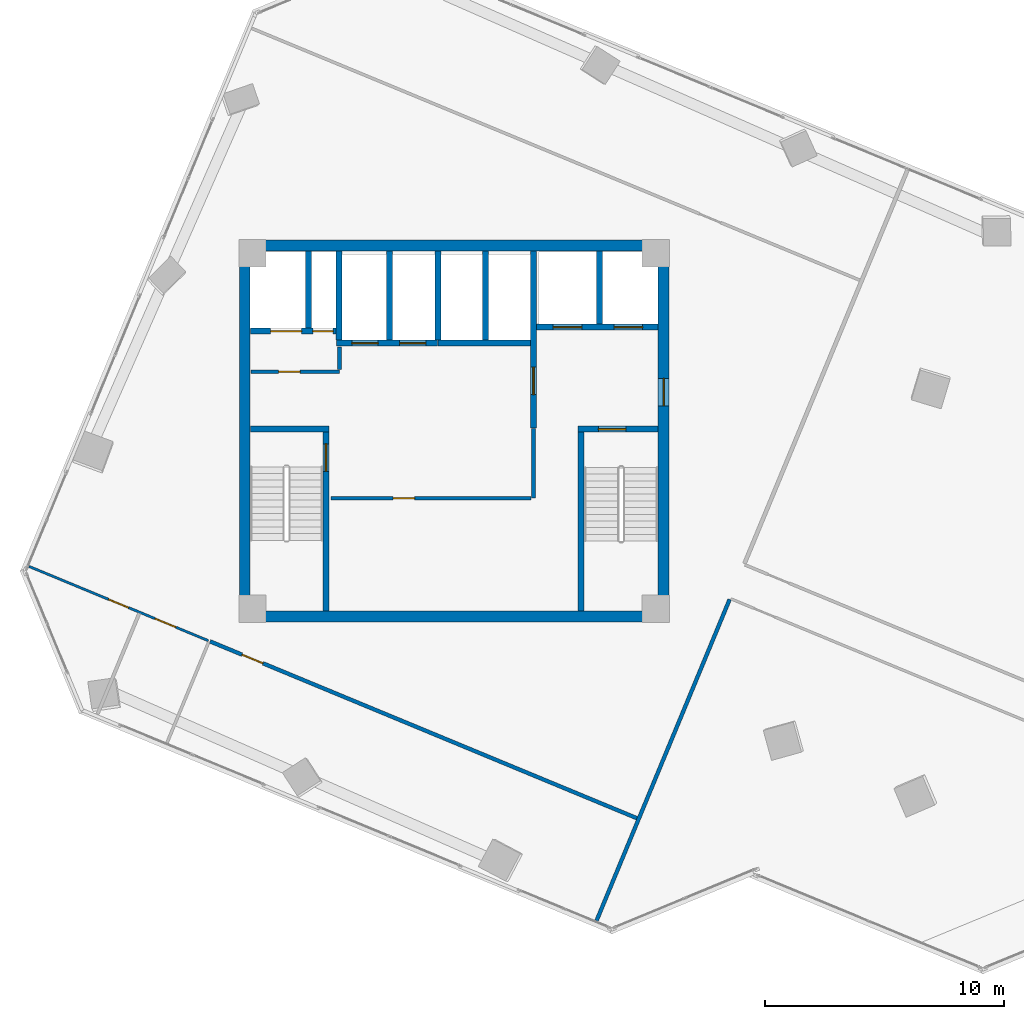
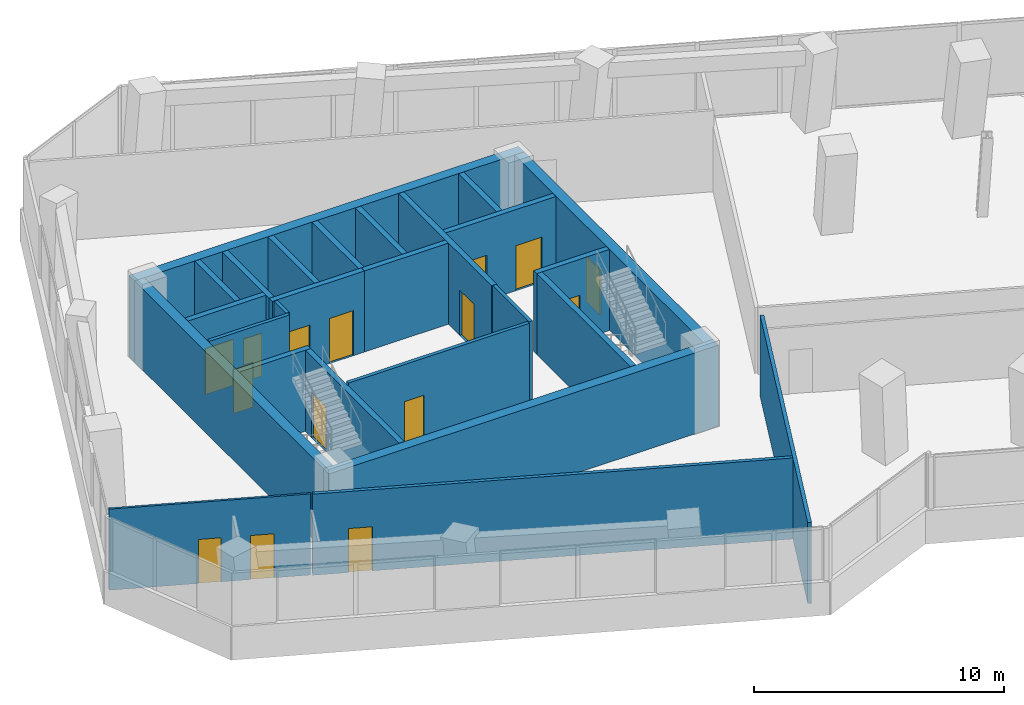
# One storey, part 18 of 23: 26 walls, 15 doors, 15 openings.
"""IFC4 building model written with IfcOpenShell, lengths in metres."""

from ifc_helpers import new_model, si_unit, direction, frame, frame_2d, origin, place, context, subcontext, project, spatial, rectangle, extrude, source, transform, mapped, material, layer, layer_set, type_object, element, fill, save


model = new_model("IFC4")

# Units and contexts
model_context = context("Model", 3, precision=1e-05, world=origin(), true_north=direction((0.0, 1.0)))
body_context = subcontext(model_context, "Body", "Model", "MODEL_VIEW")
ifc_project = project(units=[si_unit("LENGTHUNIT", "METRE"), si_unit("AREAUNIT", "SQUARE_METRE"), si_unit("VOLUMEUNIT", "CUBIC_METRE"), si_unit("PLANEANGLEUNIT", "RADIAN"), si_unit("MASSUNIT", "GRAM", prefix="KILO")], contexts=[model_context])

# Site, building, storey
site_placement = place(None, origin())
site = spatial("IfcSite", under=ifc_project, at=site_placement, CompositionType="ELEMENT")
building_placement = place(site_placement, origin())
building = spatial("IfcBuilding", under=site, at=building_placement, Name="Torre Montelarca", CompositionType="ELEMENT")
storey_placement = place(building_placement, frame((0.0, 0.0, 145.60009765625)))
storey = spatial("IfcBuildingStorey", under=building, at=storey_placement, Name="L32", CompositionType="ELEMENT", Elevation=145.60009765625)

# Wall, opening, door
ifc_material_1 = material(Name="Concrete C40/50", Category="concrete")
ifc_layer_1 = layer(ifc_material_1, 0.25, Name="Concrete C40/50", Category="concrete")
ifc_layer_set_1 = layer_set([ifc_layer_1], Name="Concrete C40/50")
wall_type_1 = type_object("IfcWallType", Name="CW-SHAFT-250", PredefinedType="SHEAR", material=ifc_layer_set_1)
wall_1_placement = place(storey_placement, frame((12.625, 24.4599609375, 0.0), z_axis=(0.0, 0.0, 1.0), x_axis=(0.0, 1.0, 0.0)))
wall_1 = element("IfcWall", 1, at=wall_1_placement, inside=storey, type_object=wall_type_1, Name="L32 Core Shear Wall SH-ST1-E", PredefinedType="SHEAR", context=body_context, shape_type="SweptSolid", body=[
    extrude(rectangle(XDim=7.489990234375, YDim=0.25, at=frame_2d((3.7451171875, 0.0))), origin(), (0.0, 0.0, 1.0), 3.9599609375),
])
opening_1_placement = place(wall_1_placement, frame((5.85009765625, 0.0, 0.0)))
opening_1 = element("IfcOpeningElement", 2, at=opening_1_placement, cuts=wall_1, Name="Opening FD-ST1", PredefinedType="OPENING", context=body_context, shape_type="SweptSolid", body=[
    extrude(rectangle(XDim=1.14990234375, YDim=2.199951171875, at=frame_2d((0.574951171875, 1.10009765625))), frame((0.0, 0.135009765625, 0.0), z_axis=(0.0, -1.0, 0.0), x_axis=(1.0, 0.0, 0.0)), (0.0, 0.0, 1.0), 0.27001953125),
])
ifc_material_2 = material(Name="Galvanized steel fire door", Category="steel")
door_type_1 = type_object("IfcDoorType", Name="DR-STAIR-115", OperationType="NOTDEFINED", PredefinedType="DOOR", material=ifc_material_2)
shared_shape_1 = source(origin(), body_context, "Body", "SweptSolid", [
    extrude(rectangle(XDim=1.14990234375, YDim=2.199951171875, at=frame_2d((0.574951171875, 1.10009765625))), frame((0.0, 0.02490234375, 0.0), z_axis=(0.0, -1.0, 0.0), x_axis=(1.0, 0.0, 0.0)), (0.0, 0.0, 1.0), 0.050048828125),
])
door_1_placement = place(opening_1_placement, origin())
door_1 = element("IfcDoor", 3, at=door_1_placement, inside=storey, type_object=door_type_1, Name="L32 Exit Stair ST1 Fire Door", OperationType="SINGLE_SWING_RIGHT", OverallHeight=2.199951171875, OverallWidth=1.14990234375, PredefinedType="DOOR", context=body_context, shape_type="MappedRepresentation", body=[
    mapped(shared_shape_1, transform((0.0, 0.0, 0.0), scale=1.0)),
])
fill(opening_1, door_1)

# Walls
wall_2_placement = place(storey_placement, frame((9.4599609375, 32.074951171875, 0.0), z_axis=(0.0, 0.0, 1.0), x_axis=(1.0, 0.0, 0.0)))
element("IfcWall", 4, at=wall_2_placement, inside=storey, type_object=wall_type_1, Name="L32 Core Shear Wall SH-ST1-N", PredefinedType="SHEAR", context=body_context, shape_type="SweptSolid", body=[
    extrude(rectangle(XDim=3.2900390625, YDim=0.25, at=frame_2d((1.64501953125, 0.0))), origin(), (0.0, 0.0, 1.0), 3.9599609375),
])
wall_3_placement = place(storey_placement, frame((23.31494140625, 24.4599609375, 0.0), z_axis=(0.0, 0.0, 1.0), x_axis=(0.0, 1.0, 0.0)))
element("IfcWall", 5, at=wall_3_placement, inside=storey, type_object=wall_type_1, Name="L32 Core Shear Wall SH-ST2-W", PredefinedType="SHEAR", context=body_context, shape_type="SweptSolid", body=[
    extrude(rectangle(XDim=7.489990234375, YDim=0.25, at=frame_2d((3.7451171875, 0.0))), origin(), (0.0, 0.0, 1.0), 3.9599609375),
])

# Wall, opening, door
wall_4_placement = place(storey_placement, frame((23.18994140625, 32.074951171875, 0.0), z_axis=(0.0, 0.0, 1.0), x_axis=(1.0, 0.0, 0.0)))
wall_4 = element("IfcWall", 6, at=wall_4_placement, inside=storey, type_object=wall_type_1, Name="L32 Core Shear Wall SH-ST2-N", PredefinedType="SHEAR", context=body_context, shape_type="SweptSolid", body=[
    extrude(rectangle(XDim=3.35009765625, YDim=0.25, at=frame_2d((1.675048828125, 0.0))), origin(), (0.0, 0.0, 1.0), 3.9599609375),
])
opening_2_placement = place(wall_4_placement, frame((0.85009765625, 0.0, 0.0)))
opening_2 = element("IfcOpeningElement", 7, at=opening_2_placement, cuts=wall_4, Name="Opening FD-ST1", PredefinedType="OPENING", context=body_context, shape_type="SweptSolid", body=[
    extrude(rectangle(XDim=1.14990234375, YDim=2.199951171875, at=frame_2d((0.574951171875, 1.10009765625))), frame((0.0, 0.135009765625, 0.0), z_axis=(0.0, -1.0, 0.0), x_axis=(1.0, 0.0, 0.0)), (0.0, 0.0, 1.0), 0.27001953125),
])
door_2_placement = place(opening_2_placement, origin())
door_2 = element("IfcDoor", 8, at=door_2_placement, inside=storey, type_object=door_type_1, Name="L32 Exit Stair ST2 Fire Door", OperationType="SINGLE_SWING_RIGHT", OverallHeight=2.199951171875, OverallWidth=1.14990234375, PredefinedType="DOOR", context=body_context, shape_type="MappedRepresentation", body=[
    mapped(shared_shape_1, transform((0.0, 0.0, 0.0), scale=1.0)),
])
fill(opening_2, door_2)

wall_5_placement = place(storey_placement, frame((21.320068359375, 32.1201171875, 0.0), z_axis=(0.0, 0.0, 1.0), x_axis=(0.0, 1.0, 0.0)))
wall_5 = element("IfcWall", 9, at=wall_5_placement, inside=storey, type_object=wall_type_1, Name="L32 Core Shear Wall SH-FFL-W", PredefinedType="SHEAR", context=body_context, shape_type="SweptSolid", body=[
    extrude(rectangle(XDim=7.419921875, YDim=0.25, at=frame_2d((3.7099609375, 0.0))), origin(), (0.0, 0.0, 1.0), 3.9599609375),
])
opening_3_placement = place(wall_5_placement, frame((1.39990234375, 0.0, 0.0)))
opening_3 = element("IfcOpeningElement", 10, at=opening_3_placement, cuts=wall_5, Name="Opening FD-LB1", PredefinedType="OPENING", context=body_context, shape_type="SweptSolid", body=[
    extrude(rectangle(XDim=1.14990234375, YDim=2.199951171875, at=frame_2d((0.574951171875, 1.10009765625))), frame((0.0, 0.135009765625, 0.0), z_axis=(0.0, -1.0, 0.0), x_axis=(1.0, 0.0, 0.0)), (0.0, 0.0, 1.0), 0.27001953125),
])
ifc_material_3 = material(Name="Acoustic timber-veneered fire door", Category="wood")
door_type_2 = type_object("IfcDoorType", Name="DR-LOBBY-115", OperationType="NOTDEFINED", PredefinedType="DOOR", material=ifc_material_3)
shared_shape_2 = source(origin(), body_context, "Body", "SweptSolid", [
    extrude(rectangle(XDim=1.14990234375, YDim=2.199951171875, at=frame_2d((0.574951171875, 1.10009765625))), frame((0.0, 0.02490234375, 0.0), z_axis=(0.0, -1.0, 0.0), x_axis=(1.0, 0.0, 0.0)), (0.0, 0.0, 1.0), 0.050048828125),
])
door_3_placement = place(opening_3_placement, origin())
door_3 = element("IfcDoor", 11, at=door_3_placement, inside=storey, type_object=door_type_2, Name="L32 Lift Lobby to Firefighting Lobby Smoke Door", OperationType="SINGLE_SWING_LEFT", OverallHeight=2.199951171875, OverallWidth=1.14990234375, PredefinedType="DOOR", context=body_context, shape_type="MappedRepresentation", body=[
    mapped(shared_shape_2, transform((0.0, 0.0, 0.0), scale=1.0)),
])
fill(opening_3, door_3)

# Wall, openings, doors
wall_6_placement = place(storey_placement, frame((9.4599609375, 36.179931640625, 0.0), z_axis=(0.0, 0.0, 1.0), x_axis=(1.0, 0.0, 0.0)))
wall_6 = element("IfcWall", 12, at=wall_6_placement, inside=storey, type_object=wall_type_1, Name="L32 Core Shear Wall SH-SV1-S", PredefinedType="SHEAR", context=body_context, shape_type="SweptSolid", body=[
    extrude(rectangle(XDim=3.7900390625, YDim=0.25, at=frame_2d((1.89501953125, 0.0))), origin(), (0.0, 0.0, 1.0), 3.9599609375),
])
opening_4_placement = place(wall_6_placement, frame((2.6201171875, 0.0, 0.0)))
opening_4 = element("IfcOpeningElement", 13, at=opening_4_placement, cuts=wall_6, Name="Opening FD-085", PredefinedType="OPENING", context=body_context, shape_type="SweptSolid", body=[
    extrude(rectangle(XDim=0.85009765625, YDim=2.10009765625, at=frame_2d((0.425048828125, 1.050048828125))), frame((0.0, 0.135009765625, 0.0), z_axis=(0.0, -1.0, 0.0), x_axis=(1.0, 0.0, 0.0)), (0.0, 0.0, 1.0), 0.27001953125),
])
opening_5_placement = place(wall_6_placement, frame((0.85009765625, 0.0, 0.0)))
opening_5 = element("IfcOpeningElement", 14, at=opening_5_placement, cuts=wall_6, Name="Opening LD-130", PredefinedType="OPENING", context=body_context, shape_type="SweptSolid", body=[
    extrude(rectangle(XDim=1.300048828125, YDim=2.25, at=frame_2d((0.64990234375, 1.125))), frame((0.0, 0.135009765625, 0.0), z_axis=(0.0, -1.0, 0.0), x_axis=(1.0, 0.0, 0.0)), (0.0, 0.0, 1.0), 0.27001953125),
])
ifc_material_4 = material(Name="Steel riser access fire door", Category="steel")
door_type_3 = type_object("IfcDoorType", Name="DR-RISER-085", OperationType="NOTDEFINED", PredefinedType="DOOR", material=ifc_material_4)
shared_shape_3 = source(origin(), body_context, "Body", "SweptSolid", [
    extrude(rectangle(XDim=0.85009765625, YDim=2.10009765625, at=frame_2d((0.425048828125, 1.050048828125))), frame((0.0, 0.02490234375, 0.0), z_axis=(0.0, -1.0, 0.0), x_axis=(1.0, 0.0, 0.0)), (0.0, 0.0, 1.0), 0.050048828125),
])
door_4_placement = place(opening_4_placement, origin())
door_4 = element("IfcDoor", 15, at=door_4_placement, inside=storey, type_object=door_type_3, Name="L32 Electrical Riser Shaft Access Door", OperationType="SINGLE_SWING_RIGHT", OverallHeight=2.10009765625, OverallWidth=0.85009765625, PredefinedType="DOOR", context=body_context, shape_type="MappedRepresentation", body=[
    mapped(shared_shape_3, transform((0.0, 0.0, 0.0), scale=1.0)),
])
fill(opening_4, door_4)
ifc_material_5 = material(Name="Brushed stainless steel AISI 316", Category="steel")
door_type_4 = type_object("IfcDoorType", Name="DR-LIFT-130", OperationType="SLIDING_TO_LEFT", PredefinedType="DOOR", material=ifc_material_5)
shared_shape_4 = source(origin(), body_context, "Body", "SweptSolid", [
    extrude(rectangle(XDim=1.300048828125, YDim=2.25, at=frame_2d((0.64990234375, 1.125))), frame((0.0, 0.02490234375, 0.0), z_axis=(0.0, -1.0, 0.0), x_axis=(1.0, 0.0, 0.0)), (0.0, 0.0, 1.0), 0.050048828125),
])
door_5_placement = place(opening_5_placement, origin())
door_5 = element("IfcDoor", 16, at=door_5_placement, inside=storey, type_object=door_type_4, Name="L32 Lift Landing Sliding Door SV-1", OperationType="SLIDING_TO_LEFT", OverallHeight=2.25, OverallWidth=1.300048828125, PredefinedType="DOOR", context=body_context, shape_type="MappedRepresentation", body=[
    mapped(shared_shape_4, transform((0.0, 0.0, 0.0), scale=1.0)),
])
fill(opening_5, door_5)

# Wall
wall_7_placement = place(storey_placement, frame((11.89990234375, 36.31005859375, 0.0), z_axis=(0.0, 0.0, 1.0), x_axis=(0.0, 1.0, 0.0)))
element("IfcWall", 17, at=wall_7_placement, inside=storey, type_object=wall_type_1, Name="L32 Core Shear Wall SH-SV1-E", PredefinedType="SHEAR", context=body_context, shape_type="SweptSolid", body=[
    extrude(rectangle(XDim=3.22998046875, YDim=0.25, at=frame_2d((1.614990234375, 0.0))), origin(), (0.0, 0.0, 1.0), 3.9599609375),
])

# Wall, openings, doors
wall_8_placement = place(storey_placement, frame((21.449951171875, 36.35009765625, 0.0), z_axis=(0.0, 0.0, 1.0), x_axis=(1.0, 0.0, 0.0)))
wall_8 = element("IfcWall", 18, at=wall_8_placement, inside=storey, type_object=wall_type_1, Name="L32 Core Shear Wall SH-FF-S", PredefinedType="SHEAR", context=body_context, shape_type="SweptSolid", body=[
    extrude(rectangle(XDim=5.090087890625, YDim=0.25, at=frame_2d((2.544921875, 0.0))), origin(), (0.0, 0.0, 1.0), 3.9599609375),
])
opening_6_placement = place(wall_8_placement, frame((0.699951171875, 0.0, 0.0)))
opening_6 = element("IfcOpeningElement", 19, at=opening_6_placement, cuts=wall_8, Name="Opening LD-120", PredefinedType="OPENING", context=body_context, shape_type="SweptSolid", body=[
    extrude(rectangle(XDim=1.199951171875, YDim=2.199951171875, at=frame_2d((0.60009765625, 1.10009765625))), frame((0.0, 0.135009765625, 0.0), z_axis=(0.0, -1.0, 0.0), x_axis=(1.0, 0.0, 0.0)), (0.0, 0.0, 1.0), 0.27001953125),
])
opening_7_placement = place(wall_8_placement, frame((3.25, 0.0, 0.0)))
opening_7 = element("IfcOpeningElement", 20, at=opening_7_placement, cuts=wall_8, Name="Opening LD-120", PredefinedType="OPENING", context=body_context, shape_type="SweptSolid", body=[
    extrude(rectangle(XDim=1.199951171875, YDim=2.199951171875, at=frame_2d((0.60009765625, 1.10009765625))), frame((0.0, 0.135009765625, 0.0), z_axis=(0.0, -1.0, 0.0), x_axis=(1.0, 0.0, 0.0)), (0.0, 0.0, 1.0), 0.27001953125),
])
door_type_5 = type_object("IfcDoorType", Name="DR-LIFT-120", OperationType="SLIDING_TO_RIGHT", PredefinedType="DOOR", material=ifc_material_5)
shared_shape_5 = source(origin(), body_context, "Body", "SweptSolid", [
    extrude(rectangle(XDim=1.199951171875, YDim=2.199951171875, at=frame_2d((0.60009765625, 1.10009765625))), frame((0.0, 0.02490234375, 0.0), z_axis=(0.0, -1.0, 0.0), x_axis=(1.0, 0.0, 0.0)), (0.0, 0.0, 1.0), 0.050048828125),
])
door_6_placement = place(opening_6_placement, origin())
door_6 = element("IfcDoor", 21, at=door_6_placement, inside=storey, type_object=door_type_5, Name="L32 Lift Landing Sliding Door FF-1", OperationType="SLIDING_TO_LEFT", OverallHeight=2.199951171875, OverallWidth=1.199951171875, PredefinedType="DOOR", context=body_context, shape_type="MappedRepresentation", body=[
    mapped(shared_shape_5, transform((0.0, 0.0, 0.0), scale=1.0)),
])
fill(opening_6, door_6)
door_7_placement = place(opening_7_placement, origin())
door_7 = element("IfcDoor", 22, at=door_7_placement, inside=storey, type_object=door_type_5, Name="L32 Lift Landing Sliding Door FF-2", OperationType="SLIDING_TO_RIGHT", OverallHeight=2.199951171875, OverallWidth=1.199951171875, PredefinedType="DOOR", context=body_context, shape_type="MappedRepresentation", body=[
    mapped(shared_shape_5, transform((0.0, 0.0, 0.0), scale=1.0)),
])
fill(opening_7, door_7)

# Wall
wall_9_placement = place(storey_placement, frame((24.080078125, 36.47998046875, 0.0), z_axis=(0.0, 0.0, 1.0), x_axis=(0.0, 1.0, 0.0)))
element("IfcWall", 23, at=wall_9_placement, inside=storey, type_object=wall_type_1, Name="L32 Core Shear Wall SH-FF-M", PredefinedType="SHEAR", context=body_context, shape_type="SweptSolid", body=[
    extrude(rectangle(XDim=3.06005859375, YDim=0.25, at=frame_2d((1.530029296875, 0.0))), origin(), (0.0, 0.0, 1.0), 3.9599609375),
])

# Wall, openings, doors
wall_10_placement = place(storey_placement, frame((13.06005859375, 35.679931640625, 0.0), z_axis=(0.0, 0.0, 1.0), x_axis=(1.0, 0.0, 0.0)))
wall_10 = element("IfcWall", 24, at=wall_10_placement, inside=storey, type_object=wall_type_1, Name="L32 Core Shear Wall SH-PLM-S", PredefinedType="SHEAR", context=body_context, shape_type="SweptSolid", body=[
    extrude(rectangle(XDim=4.25, YDim=0.25, at=frame_2d((2.125, 0.0))), origin(), (0.0, 0.0, 1.0), 3.9599609375),
])
opening_8_placement = place(wall_10_placement, frame((0.64990234375, 0.0, 0.0)))
opening_8 = element("IfcOpeningElement", 25, at=opening_8_placement, cuts=wall_10, Name="Opening LD-110", PredefinedType="OPENING", context=body_context, shape_type="SweptSolid", body=[
    extrude(rectangle(XDim=1.10009765625, YDim=2.199951171875, at=frame_2d((0.550048828125, 1.10009765625))), frame((0.0, 0.135009765625, 0.0), z_axis=(0.0, -1.0, 0.0), x_axis=(1.0, 0.0, 0.0)), (0.0, 0.0, 1.0), 0.27001953125),
])
opening_9_placement = place(wall_10_placement, frame((2.64990234375, 0.0, 0.0)))
opening_9 = element("IfcOpeningElement", 26, at=opening_9_placement, cuts=wall_10, Name="Opening LD-110", PredefinedType="OPENING", context=body_context, shape_type="SweptSolid", body=[
    extrude(rectangle(XDim=1.10009765625, YDim=2.199951171875, at=frame_2d((0.550048828125, 1.10009765625))), frame((0.0, 0.135009765625, 0.0), z_axis=(0.0, -1.0, 0.0), x_axis=(1.0, 0.0, 0.0)), (0.0, 0.0, 1.0), 0.27001953125),
])
door_type_6 = type_object("IfcDoorType", Name="DR-LIFT-110", OperationType="SLIDING_TO_LEFT", PredefinedType="DOOR", material=ifc_material_5)
shared_shape_6 = source(origin(), body_context, "Body", "SweptSolid", [
    extrude(rectangle(XDim=1.10009765625, YDim=2.199951171875, at=frame_2d((0.550048828125, 1.10009765625))), frame((0.0, 0.02490234375, 0.0), z_axis=(0.0, -1.0, 0.0), x_axis=(1.0, 0.0, 0.0)), (0.0, 0.0, 1.0), 0.050048828125),
])
door_8_placement = place(opening_8_placement, origin())
door_8 = element("IfcDoor", 27, at=door_8_placement, inside=storey, type_object=door_type_6, Name="L32 Lift Landing Sliding Door PL-M1", OperationType="SLIDING_TO_LEFT", OverallHeight=2.199951171875, OverallWidth=1.10009765625, PredefinedType="DOOR", context=body_context, shape_type="MappedRepresentation", body=[
    mapped(shared_shape_6, transform((0.0, 0.0, 0.0), scale=1.0)),
])
fill(opening_8, door_8)
door_9_placement = place(opening_9_placement, origin())
door_9 = element("IfcDoor", 28, at=door_9_placement, inside=storey, type_object=door_type_6, Name="L32 Lift Landing Sliding Door PL-M2", OperationType="SLIDING_TO_RIGHT", OverallHeight=2.199951171875, OverallWidth=1.10009765625, PredefinedType="DOOR", context=body_context, shape_type="MappedRepresentation", body=[
    mapped(shared_shape_6, transform((0.0, 0.0, 0.0), scale=1.0)),
])
fill(opening_9, door_9)

# Walls
for number, where, z_axis, x_axis, name in (
    (29, (13.179931640625, 35.81005859375, 0.0), (0.0, 0.0, 1.0), (0.0, 1.0, 0.0), "L32 Core Shear Wall SH-PLM-W"),
    (30, (15.280029296875, 35.81005859375, 0.0), (0.0, 0.0, 1.0), (0.0, 1.0, 0.0), "L32 Core Shear Wall SH-PLM-M"),
):
    element("IfcWall", number, at=place(storey_placement, frame(where, z_axis=z_axis, x_axis=x_axis)), inside=storey, type_object=wall_type_1, Name=name, PredefinedType="SHEAR", context=body_context, shape_type="SweptSolid", body=[
        extrude(rectangle(XDim=3.72998046875, YDim=0.25, at=frame_2d((1.864990234375, 0.0))), origin(), (0.0, 0.0, 1.0), 3.9599609375),
    ])
wall_11_placement = place(storey_placement, frame((17.320068359375, 35.679931640625, 0.0), z_axis=(0.0, 0.0, 1.0), x_axis=(1.0, 0.0, 0.0)))
element("IfcWall", 31, at=wall_11_placement, inside=storey, type_object=wall_type_1, Name="L32 Core Shear Wall SH-PLH-S", PredefinedType="SHEAR", context=body_context, shape_type="SweptSolid", body=[
    extrude(rectangle(XDim=3.869873046875, YDim=0.25, at=frame_2d((1.93505859375, 0.0))), origin(), (0.0, 0.0, 1.0), 3.9599609375),
])
for number, where, z_axis, x_axis, name in (
    (32, (17.320068359375, 35.81005859375, 0.0), (0.0, 0.0, 1.0), (0.0, 1.0, 0.0), "L32 Core Shear Wall SH-PLH-W"),
    (33, (19.320068359375, 35.81005859375, 0.0), (0.0, 0.0, 1.0), (0.0, 1.0, 0.0), "L32 Core Shear Wall SH-PLH-M"),
):
    element("IfcWall", number, at=place(storey_placement, frame(where, z_axis=z_axis, x_axis=x_axis)), inside=storey, type_object=wall_type_1, Name=name, PredefinedType="SHEAR", context=body_context, shape_type="SweptSolid", body=[
        extrude(rectangle(XDim=3.72998046875, YDim=0.25, at=frame_2d((1.864990234375, 0.0))), origin(), (0.0, 0.0, 1.0), 3.9599609375),
    ])
ifc_material_6 = material(Name="Concrete C55/67", Category="concrete")
ifc_layer_2 = layer(ifc_material_6, 0.449951171875, Name="Concrete C55/67", Category="concrete")
ifc_layer_set_2 = layer_set([ifc_layer_2], Name="Concrete C55/67")
wall_type_2 = type_object("IfcWallType", Name="CW-SHEAR-450", PredefinedType="SHEAR", material=ifc_layer_set_2)
wall_12_placement = place(storey_placement, frame((9.22509765625, 24.449951171875, 0.0), z_axis=(0.0, 0.0, 1.0), x_axis=(0.0, 1.0, 0.0)))
element("IfcWall", 34, at=wall_12_placement, inside=storey, type_object=wall_type_2, Name="L32 Core Shear Wall CW-W", PredefinedType="SHEAR", context=body_context, shape_type="SweptSolid", body=[
    extrude(rectangle(XDim=15.10009765625, YDim=0.449951171875, at=frame_2d((7.550048828125, 0.0))), origin(), (0.0, 0.0, 1.0), 3.9599609375),
])

# Wall, opening, door
wall_13_placement = place(storey_placement, frame((26.77490234375, 24.449951171875, 0.0), z_axis=(0.0, 0.0, 1.0), x_axis=(0.0, 1.0, 0.0)))
wall_13 = element("IfcWall", 35, at=wall_13_placement, inside=storey, type_object=wall_type_2, Name="L32 Core Shear Wall CW-E", PredefinedType="SHEAR", context=body_context, shape_type="SweptSolid", body=[
    extrude(rectangle(XDim=15.10009765625, YDim=0.449951171875, at=frame_2d((7.550048828125, 0.0))), origin(), (0.0, 0.0, 1.0), 3.9599609375),
])
opening_10_placement = place(wall_13_placement, frame((8.60009765625, 0.0, 0.0)))
opening_10 = element("IfcOpeningElement", 36, at=opening_10_placement, cuts=wall_13, Name="Opening FD-LB1", PredefinedType="OPENING", context=body_context, shape_type="SweptSolid", body=[
    extrude(rectangle(XDim=1.14990234375, YDim=2.199951171875, at=frame_2d((0.574951171875, 1.10009765625))), frame((0.0, 0.23486328125, 0.0), z_axis=(0.0, -1.0, 0.0), x_axis=(1.0, 0.0, 0.0)), (0.0, 0.0, 1.0), 0.469970703125),
])
door_10_placement = place(opening_10_placement, origin())
door_10 = element("IfcDoor", 37, at=door_10_placement, inside=storey, type_object=door_type_2, Name="L32 Firefighting Lift Lobby Corridor Fire Door", OperationType="SINGLE_SWING_RIGHT", OverallHeight=2.199951171875, OverallWidth=1.14990234375, PredefinedType="DOOR", context=body_context, shape_type="MappedRepresentation", body=[
    mapped(shared_shape_2, transform((0.0, 0.0, 0.0), scale=1.0)),
])
fill(opening_10, door_10)

# Walls
for number, where, z_axis, x_axis, name in (
    (38, (9.0, 24.22509765625, 0.0), (0.0, 0.0, 1.0), (1.0, 0.0, 0.0), "L32 Core Shear Wall CW-S1"),
    (39, (9.0, 39.77490234375, 0.0), (0.0, 0.0, 1.0), (1.0, 0.0, 0.0), "L32 Core Shear Wall CW-N1"),
):
    element("IfcWall", number, at=place(storey_placement, frame(where, z_axis=z_axis, x_axis=x_axis)), inside=storey, type_object=wall_type_2, Name=name, PredefinedType="SHEAR", context=body_context, shape_type="SweptSolid", body=[
        extrude(rectangle(XDim=18.0, YDim=0.449951171875, at=frame_2d((9.0, 0.0))), origin(), (0.0, 0.0, 1.0), 3.9599609375),
    ])

# Wall, opening, door
ifc_material_7 = material(Name="Gypsum plasterboard on steel stud", Category="steel")
ifc_layer_3 = layer(ifc_material_7, 0.159912109375, Name="Gypsum plasterboard on steel stud", Category="steel")
ifc_layer_set_3 = layer_set([ifc_layer_3], Name="Gypsum plasterboard on steel stud")
wall_type_3 = type_object("IfcWallType", Name="PW-FIRE-160", PredefinedType="PARTITIONING", material=ifc_layer_set_3)
wall_14_placement = place(storey_placement, frame((9.489990234375, 34.47998046875, 0.0), z_axis=(0.0, 0.0, 1.0), x_axis=(1.0, 0.0, 0.0)))
wall_14 = element("IfcWall", 40, at=wall_14_placement, inside=storey, type_object=wall_type_3, Name="L32 Interior Partition CW-L32-SVS", PredefinedType="PARTITIONING", context=body_context, shape_type="SweptSolid", body=[
    extrude(rectangle(XDim=3.699951171875, YDim=0.159912109375, at=frame_2d((1.85009765625, 0.0))), origin(), (0.0, 0.0, 1.0), 3.9599609375),
])
opening_11_placement = place(wall_14_placement, frame((1.14990234375, 0.0, 0.0)))
opening_11 = element("IfcOpeningElement", 41, at=opening_11_placement, cuts=wall_14, Name="Opening FD-090", PredefinedType="OPENING", context=body_context, shape_type="SweptSolid", body=[
    extrude(rectangle(XDim=0.89990234375, YDim=2.14990234375, at=frame_2d((0.449951171875, 1.074951171875))), frame((0.0, 0.08984375, 0.0), z_axis=(0.0, -1.0, 0.0), x_axis=(1.0, 0.0, 0.0)), (0.0, 0.0, 1.0), 0.179931640625),
])
ifc_material_8 = material(Name="Steel service fire door", Category="steel")
door_type_7 = type_object("IfcDoorType", Name="DR-FIRE-090", OperationType="NOTDEFINED", PredefinedType="DOOR", material=ifc_material_8)
shared_shape_7 = source(origin(), body_context, "Body", "SweptSolid", [
    extrude(rectangle(XDim=0.89990234375, YDim=2.14990234375, at=frame_2d((0.449951171875, 1.074951171875))), frame((0.0, 0.02490234375, 0.0), z_axis=(0.0, -1.0, 0.0), x_axis=(1.0, 0.0, 0.0)), (0.0, 0.0, 1.0), 0.050048828125),
])
door_11_placement = place(opening_11_placement, origin())
door_11 = element("IfcDoor", 42, at=door_11_placement, inside=storey, type_object=door_type_7, Name="L32 Interior Door 01", OperationType="SINGLE_SWING_RIGHT", OverallHeight=2.14990234375, OverallWidth=0.89990234375, PredefinedType="DOOR", context=body_context, shape_type="MappedRepresentation", body=[
    mapped(shared_shape_7, transform((0.0, 0.0, 0.0), scale=1.0)),
])
fill(opening_11, door_11)

# Wall
wall_15_placement = place(storey_placement, frame((13.199951171875, 34.570068359375, 0.0), z_axis=(0.0, 0.0, 1.0), x_axis=(0.0, 1.0, 0.0)))
element("IfcWall", 43, at=wall_15_placement, inside=storey, type_object=wall_type_3, Name="L32 Interior Partition CW-L32-SVE", PredefinedType="PARTITIONING", context=body_context, shape_type="SweptSolid", body=[
    extrude(rectangle(XDim=0.93994140625, YDim=0.159912109375, at=frame_2d((0.469970703125, 0.0))), origin(), (0.0, 0.0, 1.0), 3.9599609375),
])

# Wall, opening, door
wall_16_placement = place(storey_placement, frame((12.840087890625, 29.179931640625, 0.0), z_axis=(0.0, 0.0, 1.0), x_axis=(1.0, 0.0, 0.0)))
wall_16 = element("IfcWall", 44, at=wall_16_placement, inside=storey, type_object=wall_type_3, Name="L32 Interior Partition CW-L32-FRDN", PredefinedType="PARTITIONING", context=body_context, shape_type="SweptSolid", body=[
    extrude(rectangle(XDim=8.369873046875, YDim=0.159912109375, at=frame_2d((4.18505859375, 0.0))), origin(), (0.0, 0.0, 1.0), 3.9599609375),
])
opening_12_placement = place(wall_16_placement, frame((2.60009765625, 0.0, 0.0)))
opening_12 = element("IfcOpeningElement", 45, at=opening_12_placement, cuts=wall_16, Name="Opening FD-090", PredefinedType="OPENING", context=body_context, shape_type="SweptSolid", body=[
    extrude(rectangle(XDim=0.89990234375, YDim=2.14990234375, at=frame_2d((0.449951171875, 1.074951171875))), frame((0.0, 0.08984375, 0.0), z_axis=(0.0, -1.0, 0.0), x_axis=(1.0, 0.0, 0.0)), (0.0, 0.0, 1.0), 0.179931640625),
])
door_12_placement = place(opening_12_placement, origin())
door_12 = element("IfcDoor", 46, at=door_12_placement, inside=storey, type_object=door_type_7, Name="L32 Interior Door 02", OperationType="SINGLE_SWING_LEFT", OverallHeight=2.14990234375, OverallWidth=0.89990234375, PredefinedType="DOOR", context=body_context, shape_type="MappedRepresentation", body=[
    mapped(shared_shape_7, transform((0.0, 0.0, 0.0), scale=1.0)),
])
fill(opening_12, door_12)

# Wall
wall_17_placement = place(storey_placement, frame((21.320068359375, 29.18994140625, 0.0), z_axis=(0.0, 0.0, 1.0), x_axis=(0.0, 1.0, 0.0)))
element("IfcWall", 47, at=wall_17_placement, inside=storey, type_object=wall_type_3, Name="L32 Interior Partition CW-L32-FRE", PredefinedType="PARTITIONING", context=body_context, shape_type="SweptSolid", body=[
    extrude(rectangle(XDim=2.920166015625, YDim=0.159912109375, at=frame_2d((1.4599609375, 0.0))), origin(), (0.0, 0.0, 1.0), 3.9599609375),
])

# Wall, opening, door
wall_18_placement = place(storey_placement, frame((7.770751953125, 23.182861328125, 0.0), z_axis=(0.0, 0.0, 1.0), x_axis=(0.923878020857, -0.382687081801, 0.0)))
wall_18 = element("IfcWall", 48, at=wall_18_placement, inside=storey, type_object=wall_type_3, Name="L32 Interior Partition W-L32-SOCCN", PredefinedType="PARTITIONING", context=body_context, shape_type="SweptSolid", body=[
    extrude(rectangle(XDim=19.39990234375, YDim=0.159912109375, at=frame_2d((9.699951171875, 0.0))), origin(), (0.0, 0.0, 1.0), 3.9599609375),
])
opening_13_placement = place(wall_18_placement, frame((1.449951171875, 0.0, 0.0)))
opening_13 = element("IfcOpeningElement", 49, at=opening_13_placement, cuts=wall_18, Name="Opening FD-095", PredefinedType="OPENING", context=body_context, shape_type="SweptSolid", body=[
    extrude(rectangle(XDim=0.949951171875, YDim=2.14990234375, at=frame_2d((0.47509765625, 1.074951171875))), frame((0.0, 0.08984375, 0.0), z_axis=(0.0, -1.0, 0.0), x_axis=(1.0, 0.0, 0.0)), (0.0, 0.0, 1.0), 0.179931640625),
])
ifc_material_9 = material(Name="Timber fire-rated room door", Category="wood")
door_type_8 = type_object("IfcDoorType", Name="DR-FIRE-095", OperationType="NOTDEFINED", PredefinedType="DOOR", material=ifc_material_9)
shared_shape_8 = source(origin(), body_context, "Body", "SweptSolid", [
    extrude(rectangle(XDim=0.949951171875, YDim=2.14990234375, at=frame_2d((0.47509765625, 1.074951171875))), frame((0.0, 0.02490234375, 0.0), z_axis=(0.0, -1.0, 0.0), x_axis=(1.0, 0.0, 0.0)), (0.0, 0.0, 1.0), 0.050048828125),
])
door_13_placement = place(opening_13_placement, origin())
door_13 = element("IfcDoor", 50, at=door_13_placement, inside=storey, type_object=door_type_8, Name="L32 Interior Door 05", OperationType="SINGLE_SWING_RIGHT", OverallHeight=2.14990234375, OverallWidth=0.949951171875, PredefinedType="DOOR", context=body_context, shape_type="MappedRepresentation", body=[
    mapped(shared_shape_8, transform((0.0, 0.0, 0.0), scale=1.0)),
])
fill(opening_13, door_13)

# Wall
wall_19_placement = place(storey_placement, frame((23.962890625, 11.47509765625, 0.0), z_axis=(0.0, 0.0, 1.0), x_axis=(0.382686018031, 0.923878461489, 0.0)))
element("IfcWall", 51, at=wall_19_placement, inside=storey, type_object=wall_type_3, Name="L32 Interior Partition W-L32-ECS", PredefinedType="PARTITIONING", context=body_context, shape_type="SweptSolid", body=[
    extrude(rectangle(XDim=14.580078125, YDim=0.159912109375, at=frame_2d((7.2900390625, 0.0))), origin(), (0.0, 0.0, 1.0), 3.9599609375),
])

# Wall, openings, doors
ifc_material_10 = material(Name="Acoustic laminated glass partition", Category="glass")
ifc_layer_4 = layer(ifc_material_10, 0.10009765625, Name="Acoustic laminated glass partition", Category="glass")
ifc_layer_set_4 = layer_set([ifc_layer_4], Name="Acoustic laminated glass partition")
wall_type_4 = type_object("IfcWallType", Name="PW-GLAZ-100", PredefinedType="PARTITIONING", material=ifc_layer_set_4)
wall_20_placement = place(storey_placement, frame((0.185791015625, 26.32470703125, 0.0), z_axis=(0.0, 0.0, 1.0), x_axis=(0.923871890562, -0.382701881142, 0.0)))
wall_20 = element("IfcWall", 52, at=wall_20_placement, inside=storey, type_object=wall_type_4, Name="L32 Interior Partition W-L32-WCN", PredefinedType="PARTITIONING", context=body_context, shape_type="SweptSolid", body=[
    extrude(rectangle(XDim=8.1298828125, YDim=0.10009765625, at=frame_2d((4.06494140625, 0.0))), origin(), (0.0, 0.0, 1.0), 3.9599609375),
])
opening_14_placement = place(wall_20_placement, frame((3.610107421875, 0.0, 0.0)))
opening_14 = element("IfcOpeningElement", 53, at=opening_14_placement, cuts=wall_20, Name="Opening ID-090", PredefinedType="OPENING", context=body_context, shape_type="SweptSolid", body=[
    extrude(rectangle(XDim=0.89990234375, YDim=2.14990234375, at=frame_2d((0.449951171875, 1.074951171875))), frame((0.0, 0.06005859375, 0.0), z_axis=(0.0, -1.0, 0.0), x_axis=(1.0, 0.0, 0.0)), (0.0, 0.0, 1.0), 0.1201171875),
])
opening_15_placement = place(wall_20_placement, frame((5.7099609375, 0.0, 0.0)))
opening_15 = element("IfcOpeningElement", 54, at=opening_15_placement, cuts=wall_20, Name="Opening ID-095", PredefinedType="OPENING", context=body_context, shape_type="SweptSolid", body=[
    extrude(rectangle(XDim=0.949951171875, YDim=2.14990234375, at=frame_2d((0.47509765625, 1.074951171875))), frame((0.0, 0.06005859375, 0.0), z_axis=(0.0, -1.0, 0.0), x_axis=(1.0, 0.0, 0.0)), (0.0, 0.0, 1.0), 0.1201171875),
])
ifc_material_11 = material(Name="Hardwood acoustic timber veneer", Category="wood")
door_type_9 = type_object("IfcDoorType", Name="DR-INT-090", OperationType="NOTDEFINED", PredefinedType="DOOR", material=ifc_material_11)
shared_shape_9 = source(origin(), body_context, "Body", "SweptSolid", [
    extrude(rectangle(XDim=0.89990234375, YDim=2.14990234375, at=frame_2d((0.449951171875, 1.074951171875))), frame((0.0, 0.02490234375, 0.0), z_axis=(0.0, -1.0, 0.0), x_axis=(1.0, 0.0, 0.0)), (0.0, 0.0, 1.0), 0.050048828125),
])
door_14_placement = place(opening_14_placement, origin())
door_14 = element("IfcDoor", 55, at=door_14_placement, inside=storey, type_object=door_type_9, Name="L32 Interior Door 03", OperationType="SINGLE_SWING_LEFT", OverallHeight=2.14990234375, OverallWidth=0.89990234375, PredefinedType="DOOR", context=body_context, shape_type="MappedRepresentation", body=[
    mapped(shared_shape_9, transform((0.0, 0.0, 0.0), scale=1.0)),
])
fill(opening_14, door_14)
door_type_10 = type_object("IfcDoorType", Name="DR-INT-095", OperationType="NOTDEFINED", PredefinedType="DOOR", material=ifc_material_11)
shared_shape_10 = source(origin(), body_context, "Body", "SweptSolid", [
    extrude(rectangle(XDim=0.949951171875, YDim=2.14990234375, at=frame_2d((0.47509765625, 1.074951171875))), frame((0.0, 0.02490234375, 0.0), z_axis=(0.0, -1.0, 0.0), x_axis=(1.0, 0.0, 0.0)), (0.0, 0.0, 1.0), 0.050048828125),
])
door_15_placement = place(opening_15_placement, origin())
door_15 = element("IfcDoor", 56, at=door_15_placement, inside=storey, type_object=door_type_10, Name="L32 Interior Door 04", OperationType="SINGLE_SWING_RIGHT", OverallHeight=2.14990234375, OverallWidth=0.949951171875, PredefinedType="DOOR", context=body_context, shape_type="MappedRepresentation", body=[
    mapped(shared_shape_10, transform((0.0, 0.0, 0.0), scale=1.0)),
])
fill(opening_15, door_15)

save(model, "model.ifc")
